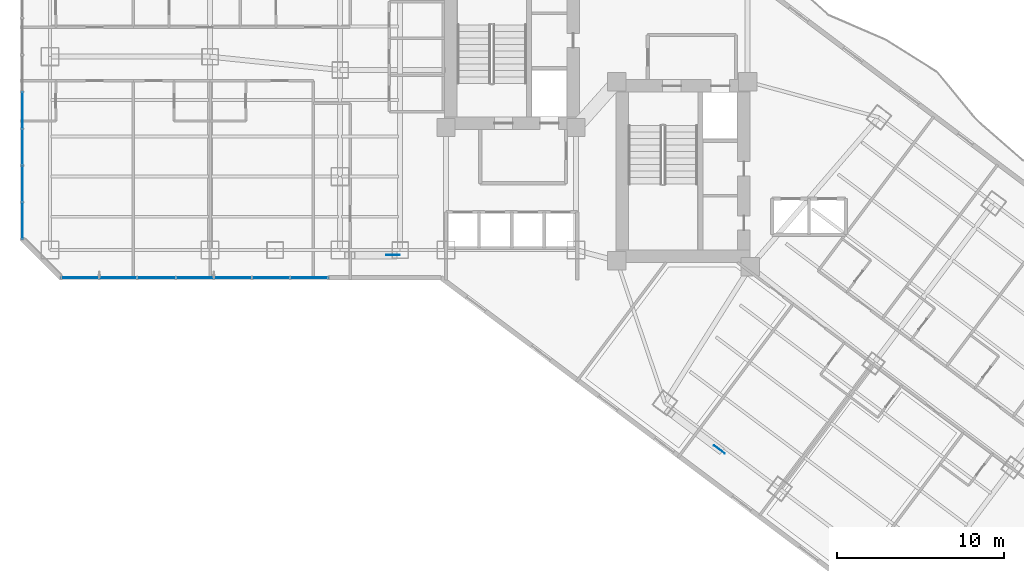
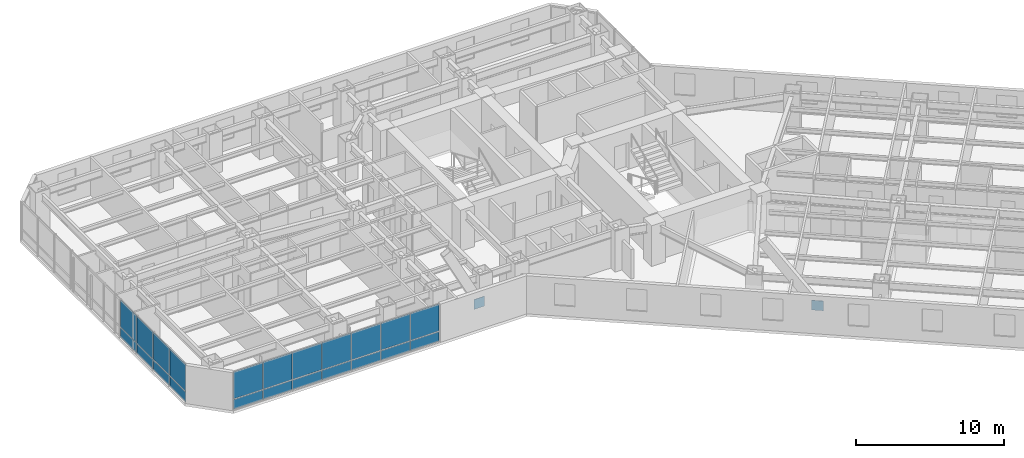
# One storey, part 20 of 32: 24 plates, 2 elements without a shape of their own.
"""IFC4 building model written with IfcOpenShell, lengths in metres."""

from ifc_helpers import new_model, si_unit, direction, frame, origin, origin_2d, place, context, subcontext, project, spatial, rectangle, extrude, material, layer, layer_set, type_object, element, aggregate, save


model = new_model("IFC4")

# Units and contexts
model_context = context("Model", 3, precision=1e-05, world=origin(), true_north=direction((0.0, 1.0)))
body_context = subcontext(model_context, "Body", "Model", "MODEL_VIEW")
ifc_project = project(units=[si_unit("LENGTHUNIT", "METRE"), si_unit("AREAUNIT", "SQUARE_METRE"), si_unit("VOLUMEUNIT", "CUBIC_METRE"), si_unit("PLANEANGLEUNIT", "RADIAN"), si_unit("MASSUNIT", "GRAM", prefix="KILO")], contexts=[model_context])

# Site, building, storey
site_placement = place(None, origin())
site = spatial("IfcSite", under=ifc_project, at=site_placement, CompositionType="ELEMENT")
building_placement = place(site_placement, origin())
building = spatial("IfcBuilding", under=site, at=building_placement, Name="Hatsunagi Terrace Concourse", CompositionType="ELEMENT")
storey_placement = place(building_placement, frame((0.0, 0.0, 36.60009765625)))
storey = spatial("IfcBuildingStorey", under=building, at=storey_placement, Name="L08", CompositionType="ELEMENT", Elevation=36.60009765625)

# Curtain wall, plates
ifc_material_1 = material(Name="Anodised Aluminium Alloy 6063-T5", Category="aluminium")
ifc_layer_1 = layer(ifc_material_1, 0.199951171875)
ifc_layer_set_1 = layer_set([ifc_layer_1], Name="HotelFacade_CW02")
curtain_wall_type = type_object("IfcCurtainWallType", Name="HotelFacade_CW02", PredefinedType="NOTDEFINED", material=ifc_layer_set_1)
curtain_wall_1_placement = place(storey_placement, origin())
curtain_wall_1 = element("IfcCurtainWall", 1, at=curtain_wall_1_placement, inside=storey, type_object=curtain_wall_type, Name="Unitised Curtain Wall CW-02 CW-L08-07", PredefinedType="NOTDEFINED")
ifc_material_2 = material(Name="Warm Terracotta Ceramic Spandrel Panel", Category="masonry")
ifc_layer_2 = layer(ifc_material_2, 0.031982421875)
ifc_layer_set_2 = layer_set([ifc_layer_2], Name="CurtainWallSpandrelPanel_32")
plate_type_1 = type_object("IfcPlateType", Name="CurtainWallSpandrelPanel_32", PredefinedType="SHEET", material=ifc_layer_set_2)
plate_1_placement = place(storey_placement, frame((17.35400390625, 23.5400390625, 0.02978515625), z_axis=(0.0, 0.0, 1.0), x_axis=(-1.0, 0.0, 0.0)))
plate_1 = element("IfcPlate", 2, at=plate_1_placement, type_object=plate_type_1, Name="Terracotta Spandrel Panel SPN-01", PredefinedType="SHEET", context=body_context, shape_type="SweptSolid", body=[
    extrude(rectangle(XDim=2.237060546875, YDim=0.031982421875, at=origin_2d()), origin(), (0.0, 0.0, 1.0), 0.7900390625),
])
plate_2_placement = place(storey_placement, frame((15.06201171875, 23.5400390625, 0.02978515625), z_axis=(0.0, 0.0, 1.0), x_axis=(-1.0, 0.0, 0.0)))
plate_2 = element("IfcPlate", 3, at=plate_2_placement, type_object=plate_type_1, Name="Terracotta Spandrel Panel SPN-01", PredefinedType="SHEET", context=body_context, shape_type="SweptSolid", body=[
    extrude(rectangle(XDim=2.237060546875, YDim=0.031982421875, at=origin_2d()), origin(), (0.0, 0.0, 1.0), 0.7900390625),
])
plate_3_placement = place(storey_placement, frame((12.77099609375, 23.5400390625, 0.02978515625), z_axis=(0.0, 0.0, 1.0), x_axis=(-1.0, 0.0, 0.0)))
plate_3 = element("IfcPlate", 4, at=plate_3_placement, type_object=plate_type_1, Name="Terracotta Spandrel Panel SPN-01", PredefinedType="SHEET", context=body_context, shape_type="SweptSolid", body=[
    extrude(rectangle(XDim=2.237060546875, YDim=0.031982421875, at=origin_2d()), origin(), (0.0, 0.0, 1.0), 0.7900390625),
])
plate_4_placement = place(storey_placement, frame((10.47900390625, 23.5400390625, 0.02978515625), z_axis=(0.0, 0.0, 1.0), x_axis=(-1.0, 0.0, 0.0)))
plate_4 = element("IfcPlate", 5, at=plate_4_placement, type_object=plate_type_1, Name="Terracotta Spandrel Panel SPN-01", PredefinedType="SHEET", context=body_context, shape_type="SweptSolid", body=[
    extrude(rectangle(XDim=2.237060546875, YDim=0.031982421875, at=origin_2d()), origin(), (0.0, 0.0, 1.0), 0.7900390625),
])
plate_5_placement = place(storey_placement, frame((8.18701171875, 23.5400390625, 0.02978515625), z_axis=(0.0, 0.0, 1.0), x_axis=(-1.0, 0.0, 0.0)))
plate_5 = element("IfcPlate", 6, at=plate_5_placement, type_object=plate_type_1, Name="Terracotta Spandrel Panel SPN-01", PredefinedType="SHEET", context=body_context, shape_type="SweptSolid", body=[
    extrude(rectangle(XDim=2.237060546875, YDim=0.031982421875, at=origin_2d()), origin(), (0.0, 0.0, 1.0), 0.7900390625),
])
plate_6_placement = place(storey_placement, frame((5.89599609375, 23.5400390625, 0.02978515625), z_axis=(0.0, 0.0, 1.0), x_axis=(-1.0, 0.0, 0.0)))
plate_6 = element("IfcPlate", 7, at=plate_6_placement, type_object=plate_type_1, Name="Terracotta Spandrel Panel SPN-01", PredefinedType="SHEET", context=body_context, shape_type="SweptSolid", body=[
    extrude(rectangle(XDim=2.237060546875, YDim=0.031982421875, at=origin_2d()), origin(), (0.0, 0.0, 1.0), 0.7900390625),
])
plate_7_placement = place(storey_placement, frame((3.60400390625, 23.5400390625, 0.02978515625), z_axis=(0.0, 0.0, 1.0), x_axis=(-1.0, 0.0, 0.0)))
plate_7 = element("IfcPlate", 8, at=plate_7_placement, type_object=plate_type_1, Name="Terracotta Spandrel Panel SPN-01", PredefinedType="SHEET", context=body_context, shape_type="SweptSolid", body=[
    extrude(rectangle(XDim=2.237060546875, YDim=0.031982421875, at=origin_2d()), origin(), (0.0, 0.0, 1.0), 0.7900390625),
])

curtain_wall_2_placement = place(storey_placement, origin())
curtain_wall_2 = element("IfcCurtainWall", 9, at=curtain_wall_2_placement, inside=storey, type_object=curtain_wall_type, Name="Unitised Curtain Wall CW-02 CW-L08-09", PredefinedType="NOTDEFINED")
plate_8_placement = place(storey_placement, frame((0.139892578125, 26.9619140625, 0.02978515625), z_axis=(0.0, 0.0, 1.0), x_axis=(0.0, 1.0, 0.0)))
plate_8 = element("IfcPlate", 10, at=plate_8_placement, type_object=plate_type_1, Name="Terracotta Spandrel Panel SPN-01", PredefinedType="SHEET", context=body_context, shape_type="SweptSolid", body=[
    extrude(rectangle(XDim=2.153076171875, YDim=0.031982421875, at=origin_2d()), origin(), (0.0, 0.0, 1.0), 0.7900390625),
])
plate_9_placement = place(storey_placement, frame((0.139892578125, 29.1708984375, 0.02978515625), z_axis=(0.0, 0.0, 1.0), x_axis=(0.0, 1.0, 0.0)))
plate_9 = element("IfcPlate", 11, at=plate_9_placement, type_object=plate_type_1, Name="Terracotta Spandrel Panel SPN-01", PredefinedType="SHEET", context=body_context, shape_type="SweptSolid", body=[
    extrude(rectangle(XDim=2.153076171875, YDim=0.031982421875, at=origin_2d()), origin(), (0.0, 0.0, 1.0), 0.7900390625),
])
plate_10_placement = place(storey_placement, frame((0.139892578125, 31.37890625, 0.02978515625), z_axis=(0.0, 0.0, 1.0), x_axis=(0.0, 1.0, 0.0)))
plate_10 = element("IfcPlate", 12, at=plate_10_placement, type_object=plate_type_1, Name="Terracotta Spandrel Panel SPN-01", PredefinedType="SHEET", context=body_context, shape_type="SweptSolid", body=[
    extrude(rectangle(XDim=2.153076171875, YDim=0.031982421875, at=origin_2d()), origin(), (0.0, 0.0, 1.0), 0.7900390625),
])
plate_11_placement = place(storey_placement, frame((0.139892578125, 33.5869140625, 0.02978515625), z_axis=(0.0, 0.0, 1.0), x_axis=(0.0, 1.0, 0.0)))
plate_11 = element("IfcPlate", 13, at=plate_11_placement, type_object=plate_type_1, Name="Terracotta Spandrel Panel SPN-01", PredefinedType="SHEET", context=body_context, shape_type="SweptSolid", body=[
    extrude(rectangle(XDim=2.153076171875, YDim=0.031982421875, at=origin_2d()), origin(), (0.0, 0.0, 1.0), 0.7900390625),
])

# Plate
ifc_material_3 = material(Name="Low-E Double Insulating Glass 28mm", Category="glass")
ifc_layer_3 = layer(ifc_material_3, 0.028076171875)
ifc_layer_set_3 = layer_set([ifc_layer_3], Name="CurtainWallVisionGlass_28")
plate_type_2 = type_object("IfcPlateType", Name="CurtainWallVisionGlass_28", PredefinedType="CURTAIN_PANEL", material=ifc_layer_set_3)
plate_12_placement = place(storey_placement, frame((17.35400390625, 23.5400390625, 0.8798828125), z_axis=(0.0, 0.0, 1.0), x_axis=(-1.0, 0.0, 0.0)))
plate_12 = element("IfcPlate", 14, at=plate_12_placement, type_object=plate_type_2, Name="Low-E Vision Glass Panel GLZ-01", PredefinedType="CURTAIN_PANEL", context=body_context, shape_type="SweptSolid", body=[
    extrude(rectangle(XDim=2.237060546875, YDim=0.028076171875, at=origin_2d()), origin(), (0.0, 0.0, 1.0), 2.219970703125),
])

plate_13_placement = place(storey_placement, frame((15.06201171875, 23.5400390625, 0.8798828125), z_axis=(0.0, 0.0, 1.0), x_axis=(-1.0, 0.0, 0.0)))
plate_13 = element("IfcPlate", 15, at=plate_13_placement, type_object=plate_type_2, Name="Low-E Vision Glass Panel GLZ-01", PredefinedType="CURTAIN_PANEL", context=body_context, shape_type="SweptSolid", body=[
    extrude(rectangle(XDim=2.237060546875, YDim=0.028076171875, at=origin_2d()), origin(), (0.0, 0.0, 1.0), 2.219970703125),
])

plate_14_placement = place(storey_placement, frame((12.77099609375, 23.5400390625, 0.8798828125), z_axis=(0.0, 0.0, 1.0), x_axis=(-1.0, 0.0, 0.0)))
plate_14 = element("IfcPlate", 16, at=plate_14_placement, type_object=plate_type_2, Name="Low-E Vision Glass Panel GLZ-01", PredefinedType="CURTAIN_PANEL", context=body_context, shape_type="SweptSolid", body=[
    extrude(rectangle(XDim=2.237060546875, YDim=0.028076171875, at=origin_2d()), origin(), (0.0, 0.0, 1.0), 2.219970703125),
])

plate_15_placement = place(storey_placement, frame((10.47900390625, 23.5400390625, 0.8798828125), z_axis=(0.0, 0.0, 1.0), x_axis=(-1.0, 0.0, 0.0)))
plate_15 = element("IfcPlate", 17, at=plate_15_placement, type_object=plate_type_2, Name="Low-E Vision Glass Panel GLZ-01", PredefinedType="CURTAIN_PANEL", context=body_context, shape_type="SweptSolid", body=[
    extrude(rectangle(XDim=2.237060546875, YDim=0.028076171875, at=origin_2d()), origin(), (0.0, 0.0, 1.0), 2.219970703125),
])

plate_16_placement = place(storey_placement, frame((8.18701171875, 23.5400390625, 0.8798828125), z_axis=(0.0, 0.0, 1.0), x_axis=(-1.0, 0.0, 0.0)))
plate_16 = element("IfcPlate", 18, at=plate_16_placement, type_object=plate_type_2, Name="Low-E Vision Glass Panel GLZ-01", PredefinedType="CURTAIN_PANEL", context=body_context, shape_type="SweptSolid", body=[
    extrude(rectangle(XDim=2.237060546875, YDim=0.028076171875, at=origin_2d()), origin(), (0.0, 0.0, 1.0), 2.219970703125),
])

plate_17_placement = place(storey_placement, frame((5.89599609375, 23.5400390625, 0.8798828125), z_axis=(0.0, 0.0, 1.0), x_axis=(-1.0, 0.0, 0.0)))
plate_17 = element("IfcPlate", 19, at=plate_17_placement, type_object=plate_type_2, Name="Low-E Vision Glass Panel GLZ-01", PredefinedType="CURTAIN_PANEL", context=body_context, shape_type="SweptSolid", body=[
    extrude(rectangle(XDim=2.237060546875, YDim=0.028076171875, at=origin_2d()), origin(), (0.0, 0.0, 1.0), 2.219970703125),
])

plate_18_placement = place(storey_placement, frame((3.60400390625, 23.5400390625, 0.8798828125), z_axis=(0.0, 0.0, 1.0), x_axis=(-1.0, 0.0, 0.0)))
plate_18 = element("IfcPlate", 20, at=plate_18_placement, type_object=plate_type_2, Name="Low-E Vision Glass Panel GLZ-01", PredefinedType="CURTAIN_PANEL", context=body_context, shape_type="SweptSolid", body=[
    extrude(rectangle(XDim=2.237060546875, YDim=0.028076171875, at=origin_2d()), origin(), (0.0, 0.0, 1.0), 2.219970703125),
])

aggregate(curtain_wall_1, [plate_1, plate_12, plate_2, plate_13, plate_3, plate_14, plate_4, plate_15, plate_5, plate_16, plate_6, plate_17, plate_7, plate_18])

plate_19_placement = place(storey_placement, frame((0.139892578125, 26.9619140625, 0.8798828125), z_axis=(0.0, 0.0, 1.0), x_axis=(0.0, 1.0, 0.0)))
plate_19 = element("IfcPlate", 21, at=plate_19_placement, type_object=plate_type_2, Name="Low-E Vision Glass Panel GLZ-01", PredefinedType="CURTAIN_PANEL", context=body_context, shape_type="SweptSolid", body=[
    extrude(rectangle(XDim=2.153076171875, YDim=0.028076171875, at=origin_2d()), origin(), (0.0, 0.0, 1.0), 2.219970703125),
])

plate_20_placement = place(storey_placement, frame((0.139892578125, 29.1708984375, 0.8798828125), z_axis=(0.0, 0.0, 1.0), x_axis=(0.0, 1.0, 0.0)))
plate_20 = element("IfcPlate", 22, at=plate_20_placement, type_object=plate_type_2, Name="Low-E Vision Glass Panel GLZ-01", PredefinedType="CURTAIN_PANEL", context=body_context, shape_type="SweptSolid", body=[
    extrude(rectangle(XDim=2.153076171875, YDim=0.028076171875, at=origin_2d()), origin(), (0.0, 0.0, 1.0), 2.219970703125),
])

plate_21_placement = place(storey_placement, frame((0.139892578125, 31.37890625, 0.8798828125), z_axis=(0.0, 0.0, 1.0), x_axis=(0.0, 1.0, 0.0)))
plate_21 = element("IfcPlate", 23, at=plate_21_placement, type_object=plate_type_2, Name="Low-E Vision Glass Panel GLZ-01", PredefinedType="CURTAIN_PANEL", context=body_context, shape_type="SweptSolid", body=[
    extrude(rectangle(XDim=2.153076171875, YDim=0.028076171875, at=origin_2d()), origin(), (0.0, 0.0, 1.0), 2.219970703125),
])

plate_22_placement = place(storey_placement, frame((0.139892578125, 33.5869140625, 0.8798828125), z_axis=(0.0, 0.0, 1.0), x_axis=(0.0, 1.0, 0.0)))
plate_22 = element("IfcPlate", 24, at=plate_22_placement, type_object=plate_type_2, Name="Low-E Vision Glass Panel GLZ-01", PredefinedType="CURTAIN_PANEL", context=body_context, shape_type="SweptSolid", body=[
    extrude(rectangle(XDim=2.153076171875, YDim=0.028076171875, at=origin_2d()), origin(), (0.0, 0.0, 1.0), 2.219970703125),
])

aggregate(curtain_wall_2, [plate_8, plate_19, plate_9, plate_20, plate_10, plate_21, plate_11, plate_22])

# Plates
ifc_material_4 = material(Name="Steel SN490C", Category="steel")
ifc_layer_4 = layer(ifc_material_4, 0.031982421875)
ifc_layer_set_4 = layer_set([ifc_layer_4], Name="XBraceNodeCapPlate_32")
plate_type_3 = type_object("IfcPlateType", Name="XBraceNodeCapPlate_32", PredefinedType="USERDEFINED", material=ifc_layer_set_4)
for number, where, z_axis, x_axis, name in (
    (25, (22.375, 24.89990234375, 0.58984375), (0.0, 0.0, 1.0), (1.0, 0.0, 0.0), "X-Brace Crossing Gusset Node Plate GP-02 XB-L07-W1"),
    (26, (41.951904296875, 13.236083984375, 0.58984375), (0.0, 0.0, 1.0), (0.799999996291, -0.600000004945, 0.0), "X-Brace Crossing Gusset Node Plate GP-02 XB-L07-SE"),
):
    element("IfcPlate", number, at=place(storey_placement, frame(where, z_axis=z_axis, x_axis=x_axis)), inside=storey, type_object=plate_type_3, Name=name, ObjectType="GUSSET_PLATE", PredefinedType="USERDEFINED", context=body_context, shape_type="SweptSolid", body=[
        extrude(rectangle(XDim=0.800048828125, YDim=0.031982421875, at=origin_2d()), origin(), (0.0, 0.0, 1.0), 0.800048828125),
    ])

save(model, "model.ifc")
